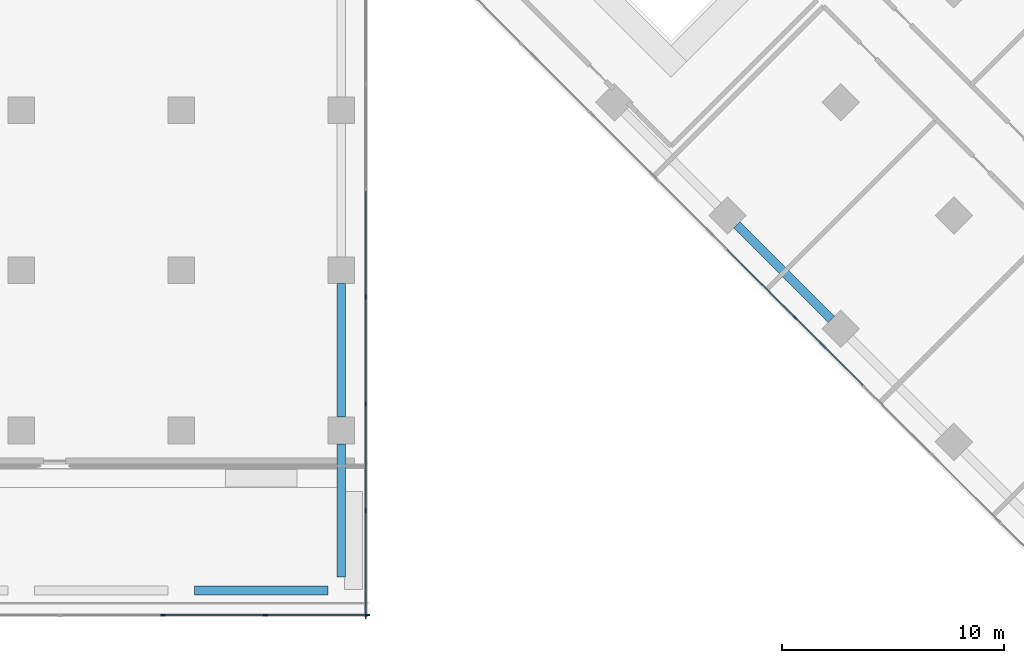
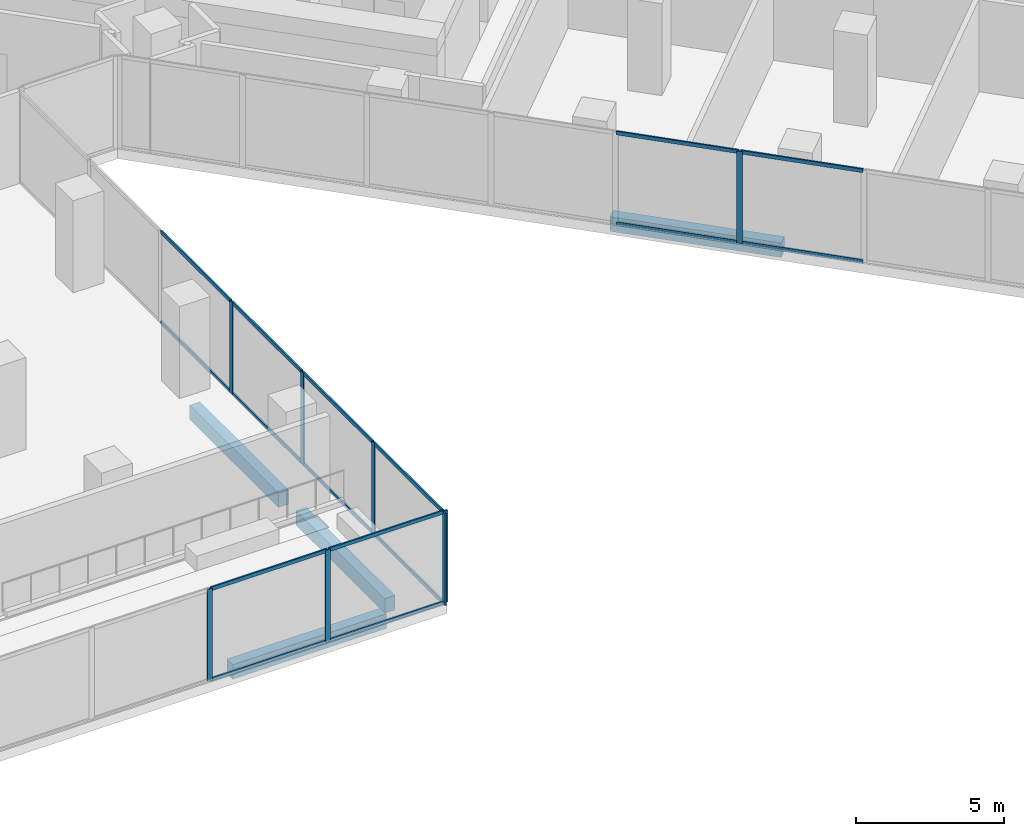
# One storey, part 9 of 27: 24 members, 4 beams, 3 elements without a shape of their own.
"""IFC4 building model written with IfcOpenShell, lengths in metres."""

from ifc_helpers import new_model, si_unit, direction, frame, origin, origin_2d, place, context, subcontext, project, spatial, rectangle, extrude, material, material_profile, profile_set, type_object, element, aggregate, save


model = new_model("IFC4")

# Units and contexts
model_context = context("Model", 3, precision=1e-05, world=origin(), true_north=direction((0.0, 1.0)))
body_context = subcontext(model_context, "Body", "Model", "MODEL_VIEW")
ifc_project = project(units=[si_unit("LENGTHUNIT", "METRE"), si_unit("AREAUNIT", "SQUARE_METRE"), si_unit("VOLUMEUNIT", "CUBIC_METRE"), si_unit("PLANEANGLEUNIT", "RADIAN"), si_unit("MASSUNIT", "GRAM", prefix="KILO")], contexts=[model_context])

# Site, building, storey
site_placement = place(None, origin())
site = spatial("IfcSite", under=ifc_project, at=site_placement, CompositionType="ELEMENT")
building_placement = place(site_placement, origin())
building = spatial("IfcBuilding", under=site, at=building_placement, Name="Windrow Commons", CompositionType="ELEMENT")
storey_placement = place(building_placement, frame((0.0, 0.0, 6.0)))
storey = spatial("IfcBuildingStorey", under=building, at=storey_placement, Name="L01", CompositionType="ELEMENT", Elevation=6.0)

# Curtain wall, members
ifc_material_1 = material(Name="Clear laminated glass in Aluminium 6063-T6 anodised frame", Category="aluminium")
curtain_wall_type = type_object("IfcCurtainWallType", Name="Curtain wall CW1 podium study hall", PredefinedType="USERDEFINED", material=ifc_material_1)
placement = place(storey_placement, origin())
curtain_wall_1 = element("IfcCurtainWall", 1, at=placement, inside=storey, type_object=curtain_wall_type, Name="Curtain wall CW1 L01 13", ObjectType="STICK", PredefinedType="USERDEFINED")
ifc_material_2 = material(Name="Aluminium 6063-T6", Category="aluminium")
ifc_material_profile_1 = material_profile(ifc_material_2, rectangle(XDim=0.06, YDim=0.2, at=origin_2d()))
ifc_profile_set_1 = profile_set([ifc_material_profile_1], Name="Aluminium 6063-T6")
member_type_1 = type_object("IfcMemberType", Name="CW1 mullion 60x200", PredefinedType="MULLION", material=ifc_profile_set_1)
member_1_placement = place(storey_placement, frame((63.9692, 13.3, 0.0), z_axis=(0.0, 0.0, 1.0), x_axis=(0.0, 1.0, 0.0)))
member_1 = element("IfcMember", 2, at=member_1_placement, type_object=member_type_1, Name="CW1 mullion 12", PredefinedType="MULLION", context=body_context, shape_type="SweptSolid", body=[
    extrude(rectangle(XDim=0.06, YDim=0.2, at=origin_2d()), origin(), (0.0, 0.0, 1.0), 3.8),
])
member_2_placement = place(storey_placement, frame((68.5846, 13.3, 0.0), z_axis=(0.0, 0.0, 1.0), x_axis=(0.0, 1.0, 0.0)))
member_2 = element("IfcMember", 3, at=member_2_placement, type_object=member_type_1, Name="CW1 mullion 13", PredefinedType="MULLION", context=body_context, shape_type="SweptSolid", body=[
    extrude(rectangle(XDim=0.06, YDim=0.2, at=origin_2d()), origin(), (0.0, 0.0, 1.0), 3.8),
])
member_3_placement = place(storey_placement, frame((73.17, 13.3, 0.0), z_axis=(0.0, 0.0, 1.0), x_axis=(0.0, 1.0, 0.0)))
member_3 = element("IfcMember", 4, at=member_3_placement, type_object=member_type_1, Name="CW1 mullion 14", PredefinedType="MULLION", context=body_context, shape_type="SweptSolid", body=[
    extrude(rectangle(XDim=0.06, YDim=0.2, at=origin_2d()), origin(), (0.0, 0.0, 1.0), 3.8),
])

curtain_wall_2 = element("IfcCurtainWall", 5, at=placement, inside=storey, type_object=curtain_wall_type, Name="Curtain wall CW1 L01 14", ObjectType="STICK", PredefinedType="USERDEFINED")
member_4_placement = place(storey_placement, frame((73.1, 13.23, 0.0), z_axis=(0.0, 0.0, 1.0), x_axis=(-1.0, 0.0, 0.0)))
member_4 = element("IfcMember", 6, at=member_4_placement, type_object=member_type_1, Name="CW1 mullion 1", PredefinedType="MULLION", context=body_context, shape_type="SweptSolid", body=[
    extrude(rectangle(XDim=0.06, YDim=0.2, at=origin_2d()), origin(), (0.0, 0.0, 1.0), 3.8),
])
member_5_placement = place(storey_placement, frame((73.1, 18.0, 0.0), z_axis=(0.0, 0.0, 1.0), x_axis=(-1.0, 0.0, 0.0)))
member_5 = element("IfcMember", 7, at=member_5_placement, type_object=member_type_1, Name="CW1 mullion 2", PredefinedType="MULLION", context=body_context, shape_type="SweptSolid", body=[
    extrude(rectangle(XDim=0.06, YDim=0.2, at=origin_2d()), origin(), (0.0, 0.0, 1.0), 3.8),
])
member_6_placement = place(storey_placement, frame((73.1, 22.8, 0.0), z_axis=(0.0, 0.0, 1.0), x_axis=(-1.0, 0.0, 0.0)))
member_6 = element("IfcMember", 8, at=member_6_placement, type_object=member_type_1, Name="CW1 mullion 3", PredefinedType="MULLION", context=body_context, shape_type="SweptSolid", body=[
    extrude(rectangle(XDim=0.06, YDim=0.2, at=origin_2d()), origin(), (0.0, 0.0, 1.0), 3.8),
])
member_7_placement = place(storey_placement, frame((73.1, 27.6, 0.0), z_axis=(0.0, 0.0, 1.0), x_axis=(-1.0, 0.0, 0.0)))
member_7 = element("IfcMember", 9, at=member_7_placement, type_object=member_type_1, Name="CW1 mullion 4", PredefinedType="MULLION", context=body_context, shape_type="SweptSolid", body=[
    extrude(rectangle(XDim=0.06, YDim=0.2, at=origin_2d()), origin(), (0.0, 0.0, 1.0), 3.8),
])

# Curtain wall, member
curtain_wall_3 = element("IfcCurtainWall", 10, at=placement, inside=storey, type_object=curtain_wall_type, Name="Curtain wall CW1 L01 16", ObjectType="STICK", PredefinedType="USERDEFINED")
member_8_placement = place(storey_placement, frame((92.4154, 26.6819, 0.0), z_axis=(0.0, 0.0, 1.0), x_axis=(0.7071067812, 0.7071067812, 0.0)))
member_8 = element("IfcMember", 11, at=member_8_placement, type_object=member_type_1, Name="CW1 mullion 6", PredefinedType="MULLION", context=body_context, shape_type="SweptSolid", body=[
    extrude(rectangle(XDim=0.06, YDim=0.2, at=origin_2d()), origin(), (0.0, 0.0, 1.0), 3.8),
])

# Member
ifc_material_3 = material(Name="Aluminium 6063-T6", Category="aluminium")
ifc_material_profile_2 = material_profile(ifc_material_3, rectangle(XDim=0.06, YDim=0.15, at=origin_2d()))
ifc_profile_set_2 = profile_set([ifc_material_profile_2], Name="Aluminium 6063-T6")
member_type_2 = type_object("IfcMemberType", Name="CW1 transom 60x150", PredefinedType="USERDEFINED", material=ifc_profile_set_2)
member_9_placement = place(storey_placement, frame((63.9992, 13.3, 0.03), z_axis=(1.0, 0.0, 0.0), x_axis=(0.0, 1.0, 0.0)))
member_9 = element("IfcMember", 12, at=member_9_placement, type_object=member_type_2, Name="CW1 transom 12.1", ObjectType="TRANSOM", PredefinedType="USERDEFINED", context=body_context, shape_type="SweptSolid", body=[
    extrude(rectangle(XDim=0.06, YDim=0.15, at=origin_2d()), origin(), (0.0, 0.0, 1.0), 4.5554),
])

member_10_placement = place(storey_placement, frame((63.9992, 13.3, 3.77), z_axis=(1.0, 0.0, 0.0), x_axis=(0.0, 1.0, 0.0)))
member_10 = element("IfcMember", 13, at=member_10_placement, type_object=member_type_2, Name="CW1 transom 12.2", ObjectType="TRANSOM", PredefinedType="USERDEFINED", context=body_context, shape_type="SweptSolid", body=[
    extrude(rectangle(XDim=0.06, YDim=0.15, at=origin_2d()), origin(), (0.0, 0.0, 1.0), 4.5554),
])

member_11_placement = place(storey_placement, frame((68.6146, 13.3, 0.03), z_axis=(1.0, 0.0, 0.0), x_axis=(0.0, 1.0, 0.0)))
member_11 = element("IfcMember", 14, at=member_11_placement, type_object=member_type_2, Name="CW1 transom 13.1", ObjectType="TRANSOM", PredefinedType="USERDEFINED", context=body_context, shape_type="SweptSolid", body=[
    extrude(rectangle(XDim=0.06, YDim=0.15, at=origin_2d()), origin(), (0.0, 0.0, 1.0), 4.5254),
])

member_12_placement = place(storey_placement, frame((68.6146, 13.3, 3.77), z_axis=(1.0, 0.0, 0.0), x_axis=(0.0, 1.0, 0.0)))
member_12 = element("IfcMember", 15, at=member_12_placement, type_object=member_type_2, Name="CW1 transom 13.2", ObjectType="TRANSOM", PredefinedType="USERDEFINED", context=body_context, shape_type="SweptSolid", body=[
    extrude(rectangle(XDim=0.06, YDim=0.15, at=origin_2d()), origin(), (0.0, 0.0, 1.0), 4.5254),
])

aggregate(curtain_wall_1, [member_1, member_2, member_3, member_9, member_10, member_11, member_12])

member_13_placement = place(storey_placement, frame((73.1, 13.26, 0.03), z_axis=(0.0, 1.0, 0.0), x_axis=(-1.0, 0.0, 0.0)))
member_13 = element("IfcMember", 16, at=member_13_placement, type_object=member_type_2, Name="CW1 transom 1.1", ObjectType="TRANSOM", PredefinedType="USERDEFINED", context=body_context, shape_type="SweptSolid", body=[
    extrude(rectangle(XDim=0.06, YDim=0.15, at=origin_2d()), origin(), (0.0, 0.0, 1.0), 4.71),
])

member_14_placement = place(storey_placement, frame((73.1, 13.26, 3.77), z_axis=(0.0, 1.0, 0.0), x_axis=(-1.0, 0.0, 0.0)))
member_14 = element("IfcMember", 17, at=member_14_placement, type_object=member_type_2, Name="CW1 transom 1.2", ObjectType="TRANSOM", PredefinedType="USERDEFINED", context=body_context, shape_type="SweptSolid", body=[
    extrude(rectangle(XDim=0.06, YDim=0.15, at=origin_2d()), origin(), (0.0, 0.0, 1.0), 4.71),
])

member_15_placement = place(storey_placement, frame((73.1, 18.03, 0.03), z_axis=(0.0, 1.0, 0.0), x_axis=(-1.0, 0.0, 0.0)))
member_15 = element("IfcMember", 18, at=member_15_placement, type_object=member_type_2, Name="CW1 transom 2.1", ObjectType="TRANSOM", PredefinedType="USERDEFINED", context=body_context, shape_type="SweptSolid", body=[
    extrude(rectangle(XDim=0.06, YDim=0.15, at=origin_2d()), origin(), (0.0, 0.0, 1.0), 4.74),
])

member_16_placement = place(storey_placement, frame((73.1, 18.03, 3.77), z_axis=(0.0, 1.0, 0.0), x_axis=(-1.0, 0.0, 0.0)))
member_16 = element("IfcMember", 19, at=member_16_placement, type_object=member_type_2, Name="CW1 transom 2.2", ObjectType="TRANSOM", PredefinedType="USERDEFINED", context=body_context, shape_type="SweptSolid", body=[
    extrude(rectangle(XDim=0.06, YDim=0.15, at=origin_2d()), origin(), (0.0, 0.0, 1.0), 4.74),
])

member_17_placement = place(storey_placement, frame((73.1, 22.83, 0.03), z_axis=(0.0, 1.0, 0.0), x_axis=(-1.0, 0.0, 0.0)))
member_17 = element("IfcMember", 20, at=member_17_placement, type_object=member_type_2, Name="CW1 transom 3.1", ObjectType="TRANSOM", PredefinedType="USERDEFINED", context=body_context, shape_type="SweptSolid", body=[
    extrude(rectangle(XDim=0.06, YDim=0.15, at=origin_2d()), origin(), (0.0, 0.0, 1.0), 4.74),
])

member_18_placement = place(storey_placement, frame((73.1, 22.83, 3.77), z_axis=(0.0, 1.0, 0.0), x_axis=(-1.0, 0.0, 0.0)))
member_18 = element("IfcMember", 21, at=member_18_placement, type_object=member_type_2, Name="CW1 transom 3.2", ObjectType="TRANSOM", PredefinedType="USERDEFINED", context=body_context, shape_type="SweptSolid", body=[
    extrude(rectangle(XDim=0.06, YDim=0.15, at=origin_2d()), origin(), (0.0, 0.0, 1.0), 4.74),
])

member_19_placement = place(storey_placement, frame((73.1, 27.63, 0.03), z_axis=(0.0, 1.0, 0.0), x_axis=(-1.0, 0.0, 0.0)))
member_19 = element("IfcMember", 22, at=member_19_placement, type_object=member_type_2, Name="CW1 transom 4.1", ObjectType="TRANSOM", PredefinedType="USERDEFINED", context=body_context, shape_type="SweptSolid", body=[
    extrude(rectangle(XDim=0.06, YDim=0.15, at=origin_2d()), origin(), (0.0, 0.0, 1.0), 4.74),
])

member_20_placement = place(storey_placement, frame((73.1, 27.63, 3.77), z_axis=(0.0, 1.0, 0.0), x_axis=(-1.0, 0.0, 0.0)))
member_20 = element("IfcMember", 23, at=member_20_placement, type_object=member_type_2, Name="CW1 transom 4.2", ObjectType="TRANSOM", PredefinedType="USERDEFINED", context=body_context, shape_type="SweptSolid", body=[
    extrude(rectangle(XDim=0.06, YDim=0.15, at=origin_2d()), origin(), (0.0, 0.0, 1.0), 4.74),
])

aggregate(curtain_wall_2, [member_4, member_5, member_6, member_7, member_13, member_14, member_15, member_16, member_17, member_18, member_19, member_20])

member_21_placement = place(storey_placement, frame((89.3589, 29.7384, 0.03), z_axis=(0.7071067812, -0.7071067812, 0.0), x_axis=(0.7071067812, 0.7071067812, 0.0)))
member_21 = element("IfcMember", 24, at=member_21_placement, type_object=member_type_2, Name="CW1 transom 5.1", ObjectType="TRANSOM", PredefinedType="USERDEFINED", context=body_context, shape_type="SweptSolid", body=[
    extrude(rectangle(XDim=0.06, YDim=0.15, at=origin_2d()), origin(), (0.0, 0.0, 1.0), 4.2926),
])

member_22_placement = place(storey_placement, frame((89.3589, 29.7384, 3.77), z_axis=(0.7071067812, -0.7071067812, 0.0), x_axis=(0.7071067812, 0.7071067812, 0.0)))
member_22 = element("IfcMember", 25, at=member_22_placement, type_object=member_type_2, Name="CW1 transom 5.2", ObjectType="TRANSOM", PredefinedType="USERDEFINED", context=body_context, shape_type="SweptSolid", body=[
    extrude(rectangle(XDim=0.06, YDim=0.15, at=origin_2d()), origin(), (0.0, 0.0, 1.0), 4.2926),
])

member_23_placement = place(storey_placement, frame((92.4367, 26.6607, 0.03), z_axis=(0.7070951332, -0.707118429, 0.0), x_axis=(0.707118429, 0.7070951332, 0.0)))
member_23 = element("IfcMember", 26, at=member_23_placement, type_object=member_type_2, Name="CW1 transom 6.1", ObjectType="TRANSOM", PredefinedType="USERDEFINED", context=body_context, shape_type="SweptSolid", body=[
    extrude(rectangle(XDim=0.06, YDim=0.15, at=origin_2d()), origin(), (0.0, 0.0, 1.0), 4.2926),
])

member_24_placement = place(storey_placement, frame((92.4367, 26.6607, 3.77), z_axis=(0.7070951332, -0.707118429, 0.0), x_axis=(0.707118429, 0.7070951332, 0.0)))
member_24 = element("IfcMember", 27, at=member_24_placement, type_object=member_type_2, Name="CW1 transom 6.2", ObjectType="TRANSOM", PredefinedType="USERDEFINED", context=body_context, shape_type="SweptSolid", body=[
    extrude(rectangle(XDim=0.06, YDim=0.15, at=origin_2d()), origin(), (0.0, 0.0, 1.0), 4.2926),
])

aggregate(curtain_wall_3, [member_8, member_21, member_22, member_23, member_24])

# Beams
ifc_material_4 = material(Name="Concrete C60/75", Category="concrete")
ifc_material_profile_3 = material_profile(ifc_material_4, rectangle(XDim=0.4, YDim=0.6, at=origin_2d()))
ifc_profile_set_3 = profile_set([ifc_material_profile_3], Name="Concrete C60/75")
beam_type = type_object("IfcBeamType", Name="RC EDGE BEAM 400x600 C60/75", PredefinedType="SPANDREL", material=ifc_profile_set_3)
beam_placement = place(storey_placement, frame((94.0492, 26.6038, -0.7), z_axis=(-0.7071151146, 0.7070984476, 0.0), x_axis=(-0.7070984476, -0.7071151146, 0.0)))
element("IfcBeam", 28, at=beam_placement, inside=storey, type_object=beam_type, Name="Edge beam L01 029", PredefinedType="SPANDREL", context=body_context, shape_type="SweptSolid", body=[
    extrude(rectangle(XDim=0.4, YDim=0.6, at=origin_2d()), origin(), (0.0, 0.0, 1.0), 5.9999),
])
for number, where, z_axis, x_axis, name in (
    (29, (72.0, 28.2, -0.7), (0.0, -1.0, 0.0), (1.0, 0.0, 0.0), "Edge beam L01 033"),
    (30, (72.0, 21.0, -0.7), (0.0, -1.0, 0.0), (1.0, 0.0, 0.0), "Edge beam L01 034"),
    (31, (71.4, 14.4, -0.7), (-1.0, 0.0, 0.0), (0.0, -1.0, 0.0), "Edge beam L01 035"),
):
    element("IfcBeam", number, at=place(storey_placement, frame(where, z_axis=z_axis, x_axis=x_axis)), inside=storey, type_object=beam_type, Name=name, PredefinedType="SPANDREL", context=body_context, shape_type="SweptSolid", body=[
        extrude(rectangle(XDim=0.4, YDim=0.6, at=origin_2d()), origin(), (0.0, 0.0, 1.0), 6.0),
    ])

save(model, "model.ifc")
